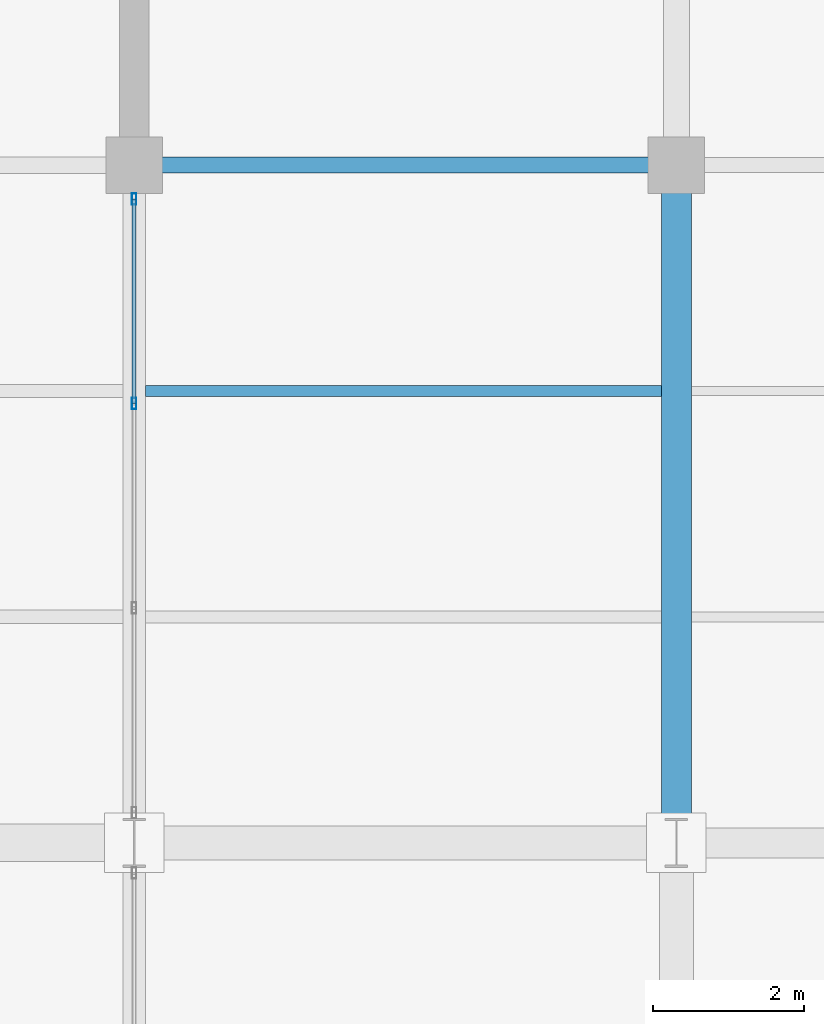
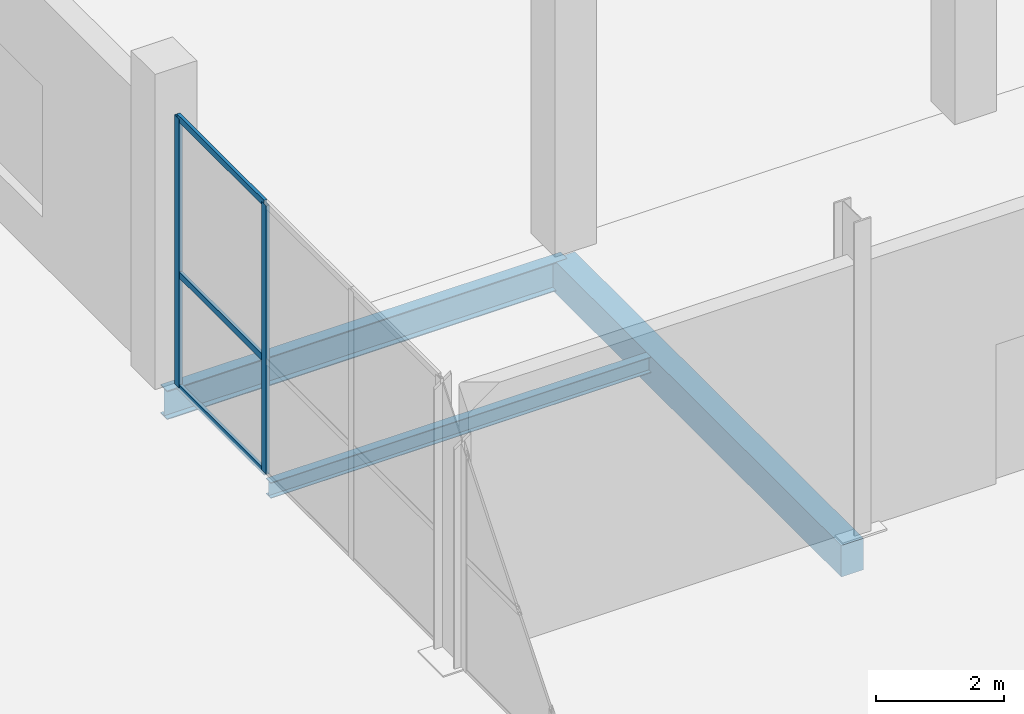
# One storey, part 66 of 144: 5 members, 3 beams, 1 element without a shape of its own.
"""IFC4 building model written with IfcOpenShell, lengths in metres."""

from ifc_helpers import new_model, si_unit, direction, frame, origin, origin_2d, place, context, subcontext, project, spatial, rectangle, hollow_rectangle, i_section, extrude, material, layer, layer_set, material_profile, profile_set, type_object, element, aggregate, save


model = new_model("IFC4")

# Units and contexts
model_context = context("Model", 3, precision=1e-05, world=origin(), true_north=direction((0.0, 1.0)))
body_context = subcontext(model_context, "Body", "Model", "MODEL_VIEW")
ifc_project = project(units=[si_unit("LENGTHUNIT", "METRE"), si_unit("AREAUNIT", "SQUARE_METRE"), si_unit("VOLUMEUNIT", "CUBIC_METRE"), si_unit("PLANEANGLEUNIT", "RADIAN"), si_unit("MASSUNIT", "GRAM", prefix="KILO")], contexts=[model_context])

# Site, building, storey
site_placement = place(None, origin())
site = spatial("IfcSite", under=ifc_project, at=site_placement, CompositionType="ELEMENT")
building_placement = place(site_placement, origin())
building = spatial("IfcBuilding", under=site, at=building_placement, Name="Sundgate Opera House", CompositionType="ELEMENT")
storey_placement = place(building_placement, origin())
storey = spatial("IfcBuildingStorey", under=building, at=storey_placement, Name="L00", CompositionType="ELEMENT", Elevation=0.0)

# Beams
ifc_material_1 = material(Name="Steel S355J2", Category="steel")
ifc_material_profile_1 = material_profile(ifc_material_1, i_section(OverallWidth=0.2099609375, OverallDepth=0.550048828125, WebThickness=0.010986328125, FlangeThickness=0.01708984375, at=origin_2d()), Name="IPE 550")
ifc_profile_set_1 = profile_set([ifc_material_profile_1], Name="Steel S355J2")
beam_type_1 = type_object("IfcBeamType", Name="BM-GR-IPE550", PredefinedType="BEAM", material=ifc_profile_set_1)
beam_1_placement = place(storey_placement, frame((95.39990234375, 69.0, -0.594970703125), z_axis=(1.0, 0.0, 0.0), x_axis=(0.0, 1.0, 0.0)))
element("IfcBeam", 1, at=beam_1_placement, inside=storey, type_object=beam_type_1, Name="L00 Primary E-W Girder B0469", PredefinedType="BEAM", context=body_context, shape_type="SweptSolid", body=[
    extrude(i_section(OverallWidth=0.2099609375, OverallDepth=0.550048828125, WebThickness=0.010986328125, FlangeThickness=0.01708984375, at=origin_2d()), origin(), (0.0, 0.0, 1.0), 7.2001953125),
])
ifc_material_2 = material(Name="Steel S355J2", Category="steel")
ifc_material_profile_2 = material_profile(ifc_material_2, i_section(OverallWidth=0.14990234375, OverallDepth=0.300048828125, WebThickness=0.007080078125, FlangeThickness=0.0107421875, at=origin_2d()), Name="IPE 300")
ifc_profile_set_2 = profile_set([ifc_material_profile_2], Name="Steel S355J2")
beam_type_2 = type_object("IfcBeamType", Name="BM-JS-IPE300", PredefinedType="JOIST", material=ifc_profile_set_2)
beam_2_placement = place(storey_placement, frame((95.550048828125, 66.0, -0.469970703125), z_axis=(1.0, 0.0, 0.0), x_axis=(0.0, 1.0, 0.0)))
element("IfcBeam", 2, at=beam_2_placement, inside=storey, type_object=beam_type_2, Name="L00 Secondary Floor Joist B0823", PredefinedType="JOIST", context=body_context, shape_type="SweptSolid", body=[
    extrude(i_section(OverallWidth=0.14990234375, OverallDepth=0.300048828125, WebThickness=0.007080078125, FlangeThickness=0.0107421875, at=origin_2d()), origin(), (0.0, 0.0, 1.0), 6.849853515625),
])
ifc_material_3 = material(Name="Concrete C35/45", Category="concrete")
ifc_material_profile_3 = material_profile(ifc_material_3, rectangle(XDim=0.39990234375, YDim=0.60009765625, at=origin_2d()), Name="RC 400x600")
ifc_profile_set_3 = profile_set([ifc_material_profile_3], Name="Concrete C35/45")
beam_type_3 = type_object("IfcBeamType", Name="BM-RC-400x600", PredefinedType="BEAM", material=ifc_profile_set_3)
beam_3_placement = place(storey_placement, frame((102.60009765625, 60.0, -0.6201171875), z_axis=(0.0, 1.0, 0.0), x_axis=(-1.0, 0.0, 0.0)))
element("IfcBeam", 3, at=beam_3_placement, inside=storey, type_object=beam_type_3, Name="L00 Primary N-S Girder B0211", PredefinedType="BEAM", context=body_context, shape_type="SweptSolid", body=[
    extrude(rectangle(XDim=0.39990234375, YDim=0.60009765625, at=origin_2d()), origin(), (0.0, 0.0, 1.0), 9.0),
])

# Curtain wall, members
ifc_material_4 = material(Name="Anodized aluminium and low-iron glass", Category="aluminium")
ifc_layer = layer(ifc_material_4, 0.159912109375)
ifc_layer_set = layer_set([ifc_layer], Name="Anodized aluminium and low-iron glass")
curtain_wall_type = type_object("IfcCurtainWallType", Name="CW-STUDIO-DARK", PredefinedType="NOTDEFINED", material=ifc_layer_set)
curtain_wall_placement = place(storey_placement, origin())
curtain_wall = element("IfcCurtainWall", 4, at=curtain_wall_placement, inside=storey, type_object=curtain_wall_type, Name="L00 Curtain Wall CW032", PredefinedType="NOTDEFINED")
ifc_material_5 = material(Name="Anodized aluminium EN AW-6063", Category="aluminium")
ifc_material_profile_4 = material_profile(ifc_material_5, hollow_rectangle(XDim=0.06005859375, YDim=0.14990234375, WallThickness=0.00390625, at=origin_2d()), Name="CWM 150x60x4")
ifc_profile_set_4 = profile_set([ifc_material_profile_4], Name="Anodized aluminium EN AW-6063")
member_type_1 = type_object("IfcMemberType", Name="CWM-ALU-150x60", PredefinedType="MULLION", material=ifc_profile_set_4)
member_1_placement = place(storey_placement, frame((95.39990234375, 68.550048828125, 0.0), z_axis=(0.0, 0.0, 1.0), x_axis=(1.0, 0.0, 0.0)))
member_1 = element("IfcMember", 5, at=member_1_placement, type_object=member_type_1, Name="CW032 Mullion 1", PredefinedType="MULLION", context=body_context, shape_type="SweptSolid", body=[
    extrude(hollow_rectangle(XDim=0.06005859375, YDim=0.14990234375, WallThickness=0.00390625, at=origin_2d()), origin(), (0.0, 0.0, 1.0), 5.114990234375),
])
member_2_placement = place(storey_placement, frame((95.39990234375, 65.833251953125, 0.0), z_axis=(0.0, 0.0, 1.0), x_axis=(1.0, 0.0, 0.0)))
member_2 = element("IfcMember", 6, at=member_2_placement, type_object=member_type_1, Name="CW032 Mullion 2", PredefinedType="MULLION", context=body_context, shape_type="SweptSolid", body=[
    extrude(hollow_rectangle(XDim=0.06005859375, YDim=0.14990234375, WallThickness=0.00390625, at=origin_2d()), origin(), (0.0, 0.0, 1.0), 5.114990234375),
])
ifc_material_6 = material(Name="Anodized aluminium EN AW-6063", Category="aluminium")
ifc_material_profile_5 = material_profile(ifc_material_6, hollow_rectangle(XDim=0.054931640625, YDim=0.1201171875, WallThickness=0.00390625, at=origin_2d()), Name="CWT 120x55x4")
ifc_profile_set_5 = profile_set([ifc_material_profile_5], Name="Anodized aluminium EN AW-6063")
member_type_2 = type_object("IfcMemberType", Name="CWT-ALU-120x55", PredefinedType="USERDEFINED", material=ifc_profile_set_5)
member_3_placement = place(storey_placement, frame((95.39990234375, 68.550048828125, 0.0), z_axis=(0.0, -1.0, 0.0), x_axis=(1.0, 0.0, 0.0)))
member_3 = element("IfcMember", 7, at=member_3_placement, type_object=member_type_2, Name="CW032 Transom 1", ObjectType="TRANSOM", PredefinedType="USERDEFINED", context=body_context, shape_type="SweptSolid", body=[
    extrude(hollow_rectangle(XDim=0.054931640625, YDim=0.1201171875, WallThickness=0.00390625, at=origin_2d()), origin(), (0.0, 0.0, 1.0), 2.716796875),
])
member_4_placement = place(storey_placement, frame((95.39990234375, 68.550048828125, 2.14990234375), z_axis=(0.0, -1.0, 0.0), x_axis=(1.0, 0.0, 0.0)))
member_4 = element("IfcMember", 8, at=member_4_placement, type_object=member_type_2, Name="CW032 Transom 2", ObjectType="TRANSOM", PredefinedType="USERDEFINED", context=body_context, shape_type="SweptSolid", body=[
    extrude(hollow_rectangle(XDim=0.054931640625, YDim=0.1201171875, WallThickness=0.00390625, at=origin_2d()), origin(), (0.0, 0.0, 1.0), 2.716796875),
])
member_5_placement = place(storey_placement, frame((95.39990234375, 68.550048828125, 5.114990234375), z_axis=(0.0, -1.0, 0.0), x_axis=(1.0, 0.0, 0.0)))
member_5 = element("IfcMember", 9, at=member_5_placement, type_object=member_type_2, Name="CW032 Transom 3", ObjectType="TRANSOM", PredefinedType="USERDEFINED", context=body_context, shape_type="SweptSolid", body=[
    extrude(hollow_rectangle(XDim=0.054931640625, YDim=0.1201171875, WallThickness=0.00390625, at=origin_2d()), origin(), (0.0, 0.0, 1.0), 2.716796875),
])
aggregate(curtain_wall, [member_1, member_2, member_3, member_4, member_5])

save(model, "model.ifc")
